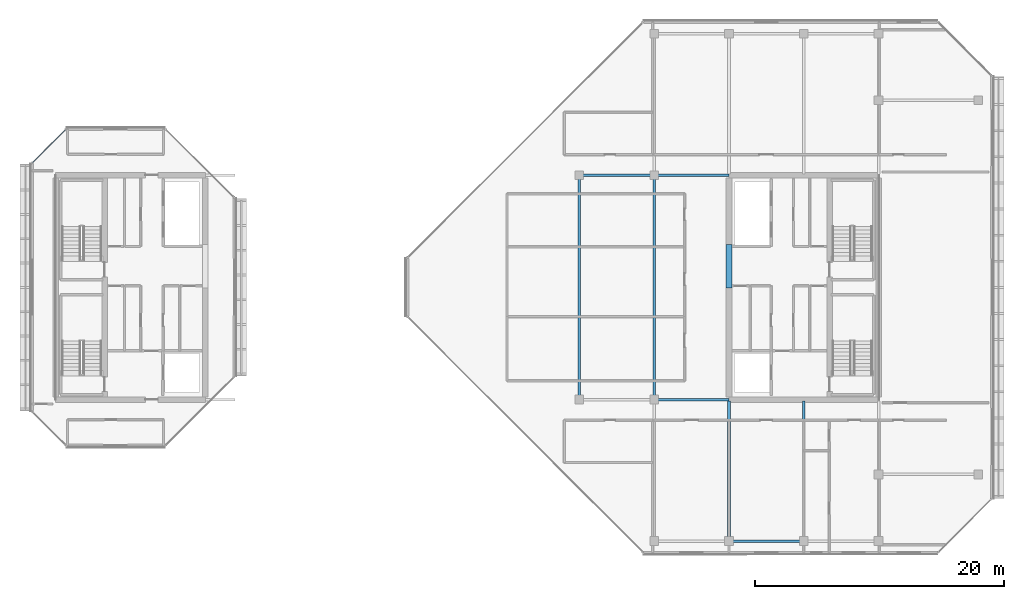
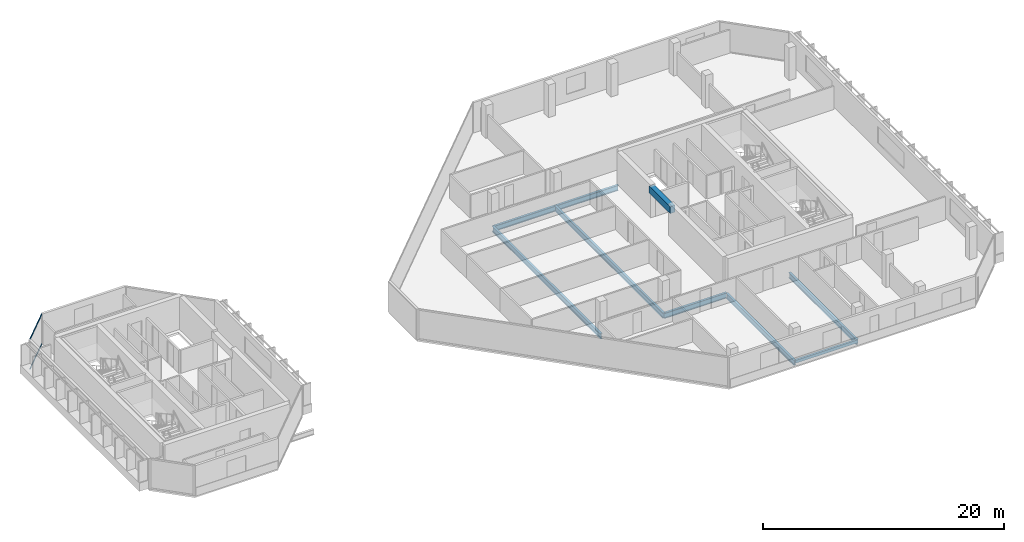
# One storey, part 11 of 29: 9 beams, 2 members, 1 element without a shape of its own.
"""IFC4 building model written with IfcOpenShell, lengths in metres."""

from ifc_helpers import new_model, si_unit, direction, frame, origin, origin_2d, place, context, subcontext, project, spatial, rectangle, hollow_rectangle, i_section, extrude, material, layer, layer_set, material_profile, profile_set, type_object, element, aggregate, save


model = new_model("IFC4")

# Units and contexts
model_context = context("Model", 3, precision=1e-05, world=origin(), true_north=direction((0.0, 1.0)))
body_context = subcontext(model_context, "Body", "Model", "MODEL_VIEW")
ifc_project = project(units=[si_unit("LENGTHUNIT", "METRE"), si_unit("AREAUNIT", "SQUARE_METRE"), si_unit("VOLUMEUNIT", "CUBIC_METRE"), si_unit("PLANEANGLEUNIT", "RADIAN"), si_unit("MASSUNIT", "GRAM", prefix="KILO")], contexts=[model_context])

# Site, building, storey
site_placement = place(None, origin())
site = spatial("IfcSite", under=ifc_project, at=site_placement, CompositionType="ELEMENT")
building_placement = place(site_placement, origin())
building = spatial("IfcBuilding", under=site, at=building_placement, Name="Tanjung Sevakor Pilgrim Tower", CompositionType="ELEMENT")
storey_placement = place(building_placement, frame((0.0, 0.0, 232.64990234375)))
storey = spatial("IfcBuildingStorey", under=building, at=storey_placement, Name="L65", CompositionType="ELEMENT", Elevation=232.64990234375)

# Beams
ifc_material_1 = material(Name="Steel S355J2", Category="steel")
ifc_material_profile_1 = material_profile(ifc_material_1, i_section(OverallWidth=0.2119140625, OverallDepth=0.54443359375, WebThickness=0.0126953125, FlangeThickness=0.021240234375, FilletRadius=0.0126953125, at=origin_2d()))
ifc_profile_set_1 = profile_set([ifc_material_profile_1], Name="Steel S355J2")
beam_type_1 = type_object("IfcBeamType", Name="BM-B-G5-UB_533x210x122", PredefinedType="BEAM", material=ifc_profile_set_1)
for number, where, z_axis, x_axis, name in (
    (1, (72.0, 24.60009765625, -0.4921875), (1.0, 0.0, 0.0), (0.0, 1.0, 0.0), "L65 Primary Floor Girder EAST Y246-02"),
    (2, (66.0, 42.60009765625, -0.4921875), (1.0, 0.0, 0.0), (0.0, 1.0, 0.0), "L65 Primary Floor Girder EAST Y426-01"),
    (3, (72.0, 42.60009765625, -0.4921875), (1.0, 0.0, 0.0), (0.0, 1.0, 0.0), "L65 Primary Floor Girder EAST Y426-02"),
):
    element("IfcBeam", number, at=place(storey_placement, frame(where, z_axis=z_axis, x_axis=x_axis)), inside=storey, type_object=beam_type_1, Name=name, PredefinedType="BEAM", context=body_context, shape_type="SweptSolid", body=[
        extrude(i_section(OverallWidth=0.2119140625, OverallDepth=0.54443359375, WebThickness=0.0126953125, FlangeThickness=0.021240234375, FilletRadius=0.0126953125, at=origin_2d()), origin(), (0.0, 0.0, 1.0), 6.0),
    ])
ifc_material_2 = material(Name="Steel S355J2", Category="steel")
ifc_material_profile_2 = material_profile(ifc_material_2, i_section(OverallWidth=0.210693359375, OverallDepth=0.53955078125, WebThickness=0.01171875, FlangeThickness=0.018798828125, FilletRadius=0.0126953125, at=origin_2d()))
ifc_profile_set_2 = profile_set([ifc_material_profile_2], Name="Steel S355J2")
beam_type_2 = type_object("IfcBeamType", Name="BM-B-G6-UB_533x210x109", PredefinedType="BEAM", material=ifc_profile_set_2)
for number, where, z_axis, x_axis, name in (
    (4, (66.0, 24.60009765625, -0.489501953125), (0.0, 1.0, 0.0), (-1.0, 0.0, 0.0), "L65 EAST Girder 001"),
    (5, (72.0, 24.60009765625, -0.489501953125), (0.0, 1.0, 0.0), (-1.0, 0.0, 0.0), "L65 EAST Girder 003"),
):
    element("IfcBeam", number, at=place(storey_placement, frame(where, z_axis=z_axis, x_axis=x_axis)), inside=storey, type_object=beam_type_2, Name=name, PredefinedType="BEAM", context=body_context, shape_type="SweptSolid", body=[
        extrude(i_section(OverallWidth=0.210693359375, OverallDepth=0.53955078125, WebThickness=0.01171875, FlangeThickness=0.018798828125, FilletRadius=0.0126953125, at=origin_2d()), origin(), (0.0, 0.0, 1.0), 18.0),
    ])
for number, where, z_axis, x_axis, name in (
    (6, (78.0, 13.25, -0.489501953125), (0.0, 1.0, 0.0), (-1.0, 0.0, 0.0), "L65 EAST Girder 005"),
    (7, (84.0, 13.25, -0.489501953125), (0.0, 1.0, 0.0), (-1.0, 0.0, 0.0), "L65 EAST Girder 007"),
):
    element("IfcBeam", number, at=place(storey_placement, frame(where, z_axis=z_axis, x_axis=x_axis)), inside=storey, type_object=beam_type_2, Name=name, PredefinedType="BEAM", context=body_context, shape_type="SweptSolid", body=[
        extrude(i_section(OverallWidth=0.210693359375, OverallDepth=0.53955078125, WebThickness=0.01171875, FlangeThickness=0.018798828125, FilletRadius=0.0126953125, at=origin_2d()), origin(), (0.0, 0.0, 1.0), 11.243896484375),
    ])
ifc_material_3 = material(Name="Concrete C60/75", Category="concrete")
ifc_material_profile_3 = material_profile(ifc_material_3, rectangle(XDim=0.449951171875, YDim=0.699951171875, at=origin_2d()))
ifc_profile_set_3 = profile_set([ifc_material_profile_3], Name="Concrete C60/75")
beam_type_3 = type_object("IfcBeamType", Name="BM-B-LN3-RC-BM_450x700", PredefinedType="LINTEL", material=ifc_profile_set_3)
beam_1_placement = place(storey_placement, frame((78.0, 33.550048828125, 2.72998046875), z_axis=(0.0, 1.0, 0.0), x_axis=(-1.0, 0.0, 0.0)))
element("IfcBeam", 8, at=beam_1_placement, inside=storey, type_object=beam_type_3, Name="L65 E Core Coupling Lintel", PredefinedType="LINTEL", context=body_context, shape_type="SweptSolid", body=[
    extrude(rectangle(XDim=0.449951171875, YDim=0.699951171875, at=origin_2d()), origin(), (0.0, 0.0, 1.0), 3.5),
])
ifc_material_4 = material(Name="Steel S355J2", Category="steel")
ifc_material_profile_4 = material_profile(ifc_material_4, hollow_rectangle(XDim=0.199951171875, YDim=0.300048828125, WallThickness=0.012451171875, at=origin_2d()))
ifc_profile_set_4 = profile_set([ifc_material_profile_4], Name="Steel S355J2")
beam_type_4 = type_object("IfcBeamType", Name="BM-B-SP3-RHS_300x200x12.5", PredefinedType="SPANDREL", material=ifc_profile_set_4)
beam_2_placement = place(storey_placement, frame((78.0, 13.25, -0.369873046875), z_axis=(1.0, 0.0, 0.0), x_axis=(0.0, 1.0, 0.0)))
element("IfcBeam", 9, at=beam_2_placement, inside=storey, type_object=beam_type_4, Name="L65 Spandrel EAST S-03", PredefinedType="SPANDREL", context=body_context, shape_type="SweptSolid", body=[
    extrude(hollow_rectangle(XDim=0.199951171875, YDim=0.300048828125, WallThickness=0.012451171875, at=origin_2d()), origin(), (0.0, 0.0, 1.0), 6.0),
])

# Curtain wall, members
ifc_material_5 = material(Name="Aluminium 6063-T6 and Low-E Glass", Category="aluminium")
ifc_layer = layer(ifc_material_5, 0.179931640625)
ifc_layer_set = layer_set([ifc_layer], Name="CW-SYS-CHAM")
curtain_wall_type = type_object("IfcCurtainWallType", Name="CW-SYS-CHAM", PredefinedType="NOTDEFINED", material=ifc_layer_set)
curtain_wall_placement = place(storey_placement, origin())
curtain_wall = element("IfcCurtainWall", 10, at=curtain_wall_placement, inside=storey, type_object=curtain_wall_type, Name="L65 Curtain Wall CW-CHM-L65-WEST-5", PredefinedType="NOTDEFINED")
ifc_material_6 = material(Name="Aluminium 6063-T6", Category="aluminium")
ifc_material_profile_5 = material_profile(ifc_material_6, hollow_rectangle(XDim=0.06494140625, YDim=0.139892578125, WallThickness=0.00390625, at=origin_2d()))
ifc_profile_set_5 = profile_set([ifc_material_profile_5], Name="Aluminium 6063-T6")
member_type = type_object("IfcMemberType", Name="TYPE-CWT-1", PredefinedType="USERDEFINED", material=ifc_profile_set_5)
member_1_placement = place(storey_placement, frame((24.799560546875, 46.244140625, 0.03271484375), z_axis=(-0.707074130168, -0.707139430697, 0.0), x_axis=(0.707139430697, -0.707074130168, 0.0)))
member_1 = element("IfcMember", 11, at=member_1_placement, type_object=member_type, Name="CW-CHM transom 1.1", ObjectType="TRANSOM", PredefinedType="USERDEFINED", context=body_context, shape_type="SweptSolid", body=[
    extrude(hollow_rectangle(XDim=0.06494140625, YDim=0.139892578125, WallThickness=0.00390625, at=origin_2d()), origin(), (0.0, 0.0, 1.0), 3.73876953125),
])
member_2_placement = place(storey_placement, frame((24.799560546875, 46.244140625, 3.047607421875), z_axis=(-0.707074130168, -0.707139430697, 0.0), x_axis=(0.707139430697, -0.707074130168, 0.0)))
member_2 = element("IfcMember", 12, at=member_2_placement, type_object=member_type, Name="CW-CHM transom 1.2", ObjectType="TRANSOM", PredefinedType="USERDEFINED", context=body_context, shape_type="SweptSolid", body=[
    extrude(hollow_rectangle(XDim=0.06494140625, YDim=0.139892578125, WallThickness=0.00390625, at=origin_2d()), origin(), (0.0, 0.0, 1.0), 3.73876953125),
])
aggregate(curtain_wall, [member_1, member_2])

save(model, "model.ifc")
